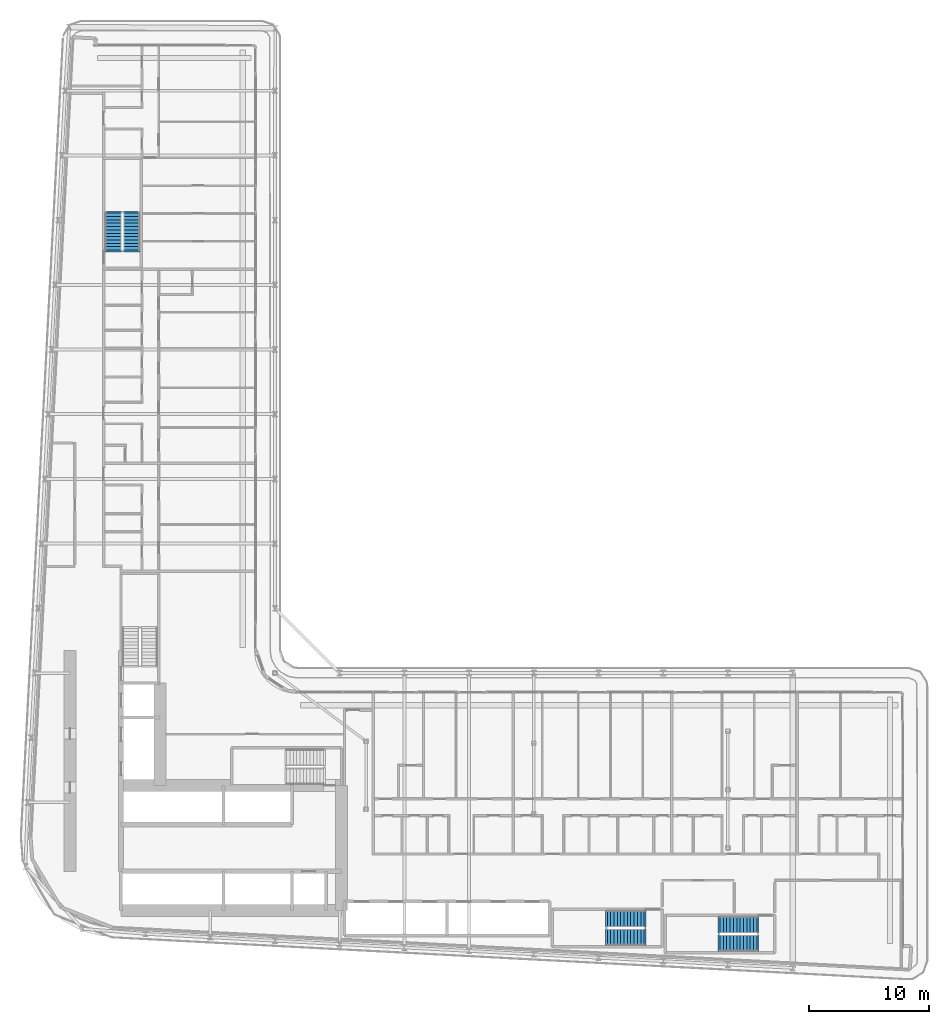
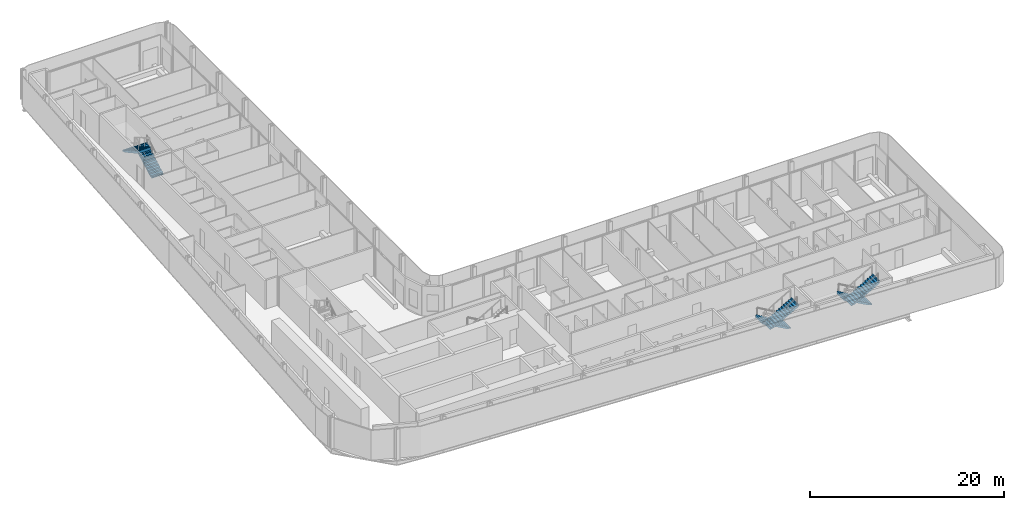
# One storey, part 21 of 28: 6 stair flights, 3 elements without a shape of their own.
"""IFC4 building model written with IfcOpenShell, lengths in metres."""

from ifc_helpers import new_model, si_unit, direction, frame, origin, place, context, subcontext, project, spatial, polyline, outline, extrude, material, layer, layer_set, type_object, element, aggregate, save


model = new_model("IFC4")

# Units and contexts
model_context = context("Model", 3, precision=1e-05, world=origin(), true_north=direction((0.0, 1.0)))
body_context = subcontext(model_context, "Body", "Model", "MODEL_VIEW")
ifc_project = project(units=[si_unit("LENGTHUNIT", "METRE"), si_unit("AREAUNIT", "SQUARE_METRE"), si_unit("VOLUMEUNIT", "CUBIC_METRE"), si_unit("PLANEANGLEUNIT", "RADIAN"), si_unit("MASSUNIT", "GRAM", prefix="KILO")], contexts=[model_context])

# Site, building, storey
site_placement = place(None, origin())
site = spatial("IfcSite", under=ifc_project, at=site_placement, CompositionType="ELEMENT")
building_placement = place(site_placement, origin())
building = spatial("IfcBuilding", under=site, at=building_placement, Name="Kheshtan School and Residences Tower", CompositionType="ELEMENT")
storey_placement = place(building_placement, frame((0.0, 0.0, 77.300048828125)))
storey = spatial("IfcBuildingStorey", under=building, at=storey_placement, Name="L18", CompositionType="ELEMENT", Elevation=77.300048828125)

# Stair, stair flights
ifc_material = material(Name="Concrete C40/50", Category="concrete")
stair_type = type_object("IfcStairType", Name="Exit stair, half-turn", PredefinedType="HALF_TURN_STAIR", material=ifc_material)
stair_1_placement = place(storey_placement, origin())
stair_1 = element("IfcStair", 1, at=stair_1_placement, inside=storey, type_object=stair_type, Name="L18 Protected Exit Stair ST3", PredefinedType="HALF_TURN_STAIR")
ifc_layer = layer(ifc_material, 0.14990234375)
ifc_layer_set = layer_set([ifc_layer], Name="Stair flight 1400 Concrete C40/50")
stair_flight_type = type_object("IfcStairFlightType", Name="Stair flight 1400 Concrete C40/50", PredefinedType="STRAIGHT", material=ifc_layer_set)
stair_flight_1_placement = place(storey_placement, frame((35.64990234375, 80.89990234375, 0.0), z_axis=(0.0, 0.0, 1.0), x_axis=(0.0, 1.0, 0.0)))
stair_flight_1 = element("IfcStairFlight", 2, at=stair_flight_1_placement, type_object=stair_flight_type, Name="ST3 flight 1", NumberOfRisers=12, NumberOfTreads=11, PredefinedType="STRAIGHT", RiserHeight=0.1625, TreadLength=0.28, context=body_context, shape_type="SweptSolid", body=[
    extrude(outline(polyline([(-0.14990234375, -0.10009765625), (-0.14990234375, 0.0), (0.0, 0.0), (0.0, 0.16259765625), (0.280029296875, 0.16259765625), (0.280029296875, 0.324951171875), (0.56005859375, 0.324951171875), (0.56005859375, 0.487548828125), (0.840087890625, 0.487548828125), (0.840087890625, 0.64990234375), (1.1201171875, 0.64990234375), (1.1201171875, 0.8125), (1.39990234375, 0.8125), (1.39990234375, 0.97509765625), (1.679931640625, 0.97509765625), (1.679931640625, 1.137451171875), (1.9599609375, 1.137451171875), (1.9599609375, 1.300048828125), (2.239990234375, 1.300048828125), (2.239990234375, 1.46240234375), (2.52001953125, 1.46240234375), (2.52001953125, 1.625), (2.800048828125, 1.625), (2.800048828125, 1.78759765625), (3.080078125, 1.78759765625), (3.080078125, 1.949951171875), (3.080078125, 1.969970703125), (3.22998046875, 1.969970703125), (3.22998046875, 1.6142578125), (0.298583984375, 0.0), (-0.14990234375, -0.10009765625)])), frame((0.0, 0.699951171875, 0.0), z_axis=(0.0, -1.0, 0.0), x_axis=(1.0, 0.0, 0.0)), (0.0, 0.0, 1.0), 1.39990234375),
])
stair_flight_2_placement = place(storey_placement, frame((34.10009765625, 83.97998046875, 1.949951171875), z_axis=(0.0, 0.0, 1.0), x_axis=(0.0, -1.0, 0.0)))
stair_flight_2 = element("IfcStairFlight", 3, at=stair_flight_2_placement, type_object=stair_flight_type, Name="ST3 flight 2", NumberOfRisers=12, NumberOfTreads=11, PredefinedType="STRAIGHT", RiserHeight=0.1625, TreadLength=0.28, context=body_context, shape_type="SweptSolid", body=[
    extrude(outline(polyline([(-0.14990234375, -0.10009765625), (-0.14990234375, 0.0), (0.0, 0.0), (0.0, 0.16259765625), (0.280029296875, 0.16259765625), (0.280029296875, 0.324951171875), (0.56005859375, 0.324951171875), (0.56005859375, 0.487548828125), (0.840087890625, 0.487548828125), (0.840087890625, 0.64990234375), (1.1201171875, 0.64990234375), (1.1201171875, 0.8125), (1.39990234375, 0.8125), (1.39990234375, 0.97509765625), (1.679931640625, 0.97509765625), (1.679931640625, 1.137451171875), (1.9599609375, 1.137451171875), (1.9599609375, 1.300048828125), (2.239990234375, 1.300048828125), (2.239990234375, 1.46240234375), (2.52001953125, 1.46240234375), (2.52001953125, 1.625), (2.800048828125, 1.625), (2.800048828125, 1.78759765625), (3.080078125, 1.78759765625), (3.080078125, 1.949951171875), (3.080078125, 1.969970703125), (3.22998046875, 1.969970703125), (3.22998046875, 1.6142578125), (0.298583984375, 0.0), (-0.14990234375, -0.10009765625)])), frame((0.0, 0.699951171875, 0.0), z_axis=(0.0, -1.0, 0.0), x_axis=(1.0, 0.0, 0.0)), (0.0, 0.0, 1.0), 1.39990234375),
])
aggregate(stair_1, [stair_flight_1, stair_flight_2])

stair_2_placement = place(storey_placement, origin())
stair_2 = element("IfcStair", 4, at=stair_2_placement, inside=storey, type_object=stair_type, Name="L18 Protected Exit Stair ST4", PredefinedType="HALF_TURN_STAIR")
stair_flight_3_placement = place(storey_placement, frame((87.820068359375, 24.60009765625, 0.0), z_axis=(0.0, 0.0, 1.0), x_axis=(-1.0, 0.0, 0.0)))
stair_flight_3 = element("IfcStairFlight", 5, at=stair_flight_3_placement, type_object=stair_flight_type, Name="ST4 flight 1", NumberOfRisers=12, NumberOfTreads=11, PredefinedType="STRAIGHT", RiserHeight=0.1625, TreadLength=0.28, context=body_context, shape_type="SweptSolid", body=[
    extrude(outline(polyline([(-0.14990234375, -0.10009765625), (-0.14990234375, 0.0), (0.0, 0.0), (0.0, 0.16259765625), (0.280029296875, 0.16259765625), (0.280029296875, 0.324951171875), (0.56005859375, 0.324951171875), (0.56005859375, 0.487548828125), (0.840087890625, 0.487548828125), (0.840087890625, 0.64990234375), (1.1201171875, 0.64990234375), (1.1201171875, 0.8125), (1.39990234375, 0.8125), (1.39990234375, 0.97509765625), (1.679931640625, 0.97509765625), (1.679931640625, 1.137451171875), (1.9599609375, 1.137451171875), (1.9599609375, 1.300048828125), (2.239990234375, 1.300048828125), (2.239990234375, 1.46240234375), (2.52001953125, 1.46240234375), (2.52001953125, 1.625), (2.800048828125, 1.625), (2.800048828125, 1.78759765625), (3.080078125, 1.78759765625), (3.080078125, 1.949951171875), (3.080078125, 1.969970703125), (3.22998046875, 1.969970703125), (3.22998046875, 1.6142578125), (0.298583984375, 0.0), (-0.14990234375, -0.10009765625)])), frame((0.0, 0.699951171875, 0.0), z_axis=(0.0, -1.0, 0.0), x_axis=(1.0, 0.0, 0.0)), (0.0, 0.0, 1.0), 1.39990234375),
])
stair_flight_4_placement = place(storey_placement, frame((84.739990234375, 23.050048828125, 1.949951171875), z_axis=(0.0, 0.0, 1.0), x_axis=(1.0, 0.0, 0.0)))
stair_flight_4 = element("IfcStairFlight", 6, at=stair_flight_4_placement, type_object=stair_flight_type, Name="ST4 flight 2", NumberOfRisers=12, NumberOfTreads=11, PredefinedType="STRAIGHT", RiserHeight=0.1625, TreadLength=0.28, context=body_context, shape_type="SweptSolid", body=[
    extrude(outline(polyline([(-0.14990234375, -0.10009765625), (-0.14990234375, 0.0), (0.0, 0.0), (0.0, 0.16259765625), (0.280029296875, 0.16259765625), (0.280029296875, 0.324951171875), (0.56005859375, 0.324951171875), (0.56005859375, 0.487548828125), (0.840087890625, 0.487548828125), (0.840087890625, 0.64990234375), (1.1201171875, 0.64990234375), (1.1201171875, 0.8125), (1.39990234375, 0.8125), (1.39990234375, 0.97509765625), (1.679931640625, 0.97509765625), (1.679931640625, 1.137451171875), (1.9599609375, 1.137451171875), (1.9599609375, 1.300048828125), (2.239990234375, 1.300048828125), (2.239990234375, 1.46240234375), (2.52001953125, 1.46240234375), (2.52001953125, 1.625), (2.800048828125, 1.625), (2.800048828125, 1.78759765625), (3.080078125, 1.78759765625), (3.080078125, 1.949951171875), (3.080078125, 1.969970703125), (3.22998046875, 1.969970703125), (3.22998046875, 1.6142578125), (0.298583984375, 0.0), (-0.14990234375, -0.10009765625)])), frame((0.0, 0.699951171875, 0.0), z_axis=(0.0, -1.0, 0.0), x_axis=(1.0, 0.0, 0.0)), (0.0, 0.0, 1.0), 1.39990234375),
])
aggregate(stair_2, [stair_flight_3, stair_flight_4])

stair_3_placement = place(storey_placement, origin())
stair_3 = element("IfcStair", 7, at=stair_3_placement, inside=storey, type_object=stair_type, Name="L18 Protected Exit Stair ST5", PredefinedType="HALF_TURN_STAIR")
stair_flight_5_placement = place(storey_placement, frame((78.409912109375, 25.10009765625, 0.0), z_axis=(0.0, 0.0, 1.0), x_axis=(-1.0, 0.0, 0.0)))
stair_flight_5 = element("IfcStairFlight", 8, at=stair_flight_5_placement, type_object=stair_flight_type, Name="ST5 flight 1", NumberOfRisers=12, NumberOfTreads=11, PredefinedType="STRAIGHT", RiserHeight=0.1625, TreadLength=0.28, context=body_context, shape_type="SweptSolid", body=[
    extrude(outline(polyline([(-0.14990234375, -0.10009765625), (-0.14990234375, 0.0), (0.0, 0.0), (0.0, 0.16259765625), (0.280029296875, 0.16259765625), (0.280029296875, 0.324951171875), (0.56005859375, 0.324951171875), (0.56005859375, 0.487548828125), (0.840087890625, 0.487548828125), (0.840087890625, 0.64990234375), (1.1201171875, 0.64990234375), (1.1201171875, 0.8125), (1.39990234375, 0.8125), (1.39990234375, 0.97509765625), (1.679931640625, 0.97509765625), (1.679931640625, 1.137451171875), (1.9599609375, 1.137451171875), (1.9599609375, 1.300048828125), (2.239990234375, 1.300048828125), (2.239990234375, 1.46240234375), (2.52001953125, 1.46240234375), (2.52001953125, 1.625), (2.800048828125, 1.625), (2.800048828125, 1.78759765625), (3.080078125, 1.78759765625), (3.080078125, 1.949951171875), (3.080078125, 1.969970703125), (3.22998046875, 1.969970703125), (3.22998046875, 1.6142578125), (0.298583984375, 0.0), (-0.14990234375, -0.10009765625)])), frame((0.0, 0.699951171875, 0.0), z_axis=(0.0, -1.0, 0.0), x_axis=(1.0, 0.0, 0.0)), (0.0, 0.0, 1.0), 1.39990234375),
])
stair_flight_6_placement = place(storey_placement, frame((75.330078125, 23.550048828125, 1.949951171875), z_axis=(0.0, 0.0, 1.0), x_axis=(1.0, 0.0, 0.0)))
stair_flight_6 = element("IfcStairFlight", 9, at=stair_flight_6_placement, type_object=stair_flight_type, Name="ST5 flight 2", NumberOfRisers=12, NumberOfTreads=11, PredefinedType="STRAIGHT", RiserHeight=0.1625, TreadLength=0.28, context=body_context, shape_type="SweptSolid", body=[
    extrude(outline(polyline([(-0.14990234375, -0.10009765625), (-0.14990234375, 0.0), (0.0, 0.0), (0.0, 0.16259765625), (0.280029296875, 0.16259765625), (0.280029296875, 0.324951171875), (0.56005859375, 0.324951171875), (0.56005859375, 0.487548828125), (0.840087890625, 0.487548828125), (0.840087890625, 0.64990234375), (1.1201171875, 0.64990234375), (1.1201171875, 0.8125), (1.39990234375, 0.8125), (1.39990234375, 0.97509765625), (1.679931640625, 0.97509765625), (1.679931640625, 1.137451171875), (1.9599609375, 1.137451171875), (1.9599609375, 1.300048828125), (2.239990234375, 1.300048828125), (2.239990234375, 1.46240234375), (2.52001953125, 1.46240234375), (2.52001953125, 1.625), (2.800048828125, 1.625), (2.800048828125, 1.78759765625), (3.080078125, 1.78759765625), (3.080078125, 1.949951171875), (3.080078125, 1.969970703125), (3.22998046875, 1.969970703125), (3.22998046875, 1.6142578125), (0.298583984375, 0.0), (-0.14990234375, -0.10009765625)])), frame((0.0, 0.699951171875, 0.0), z_axis=(0.0, -1.0, 0.0), x_axis=(1.0, 0.0, 0.0)), (0.0, 0.0, 1.0), 1.39990234375),
])
aggregate(stair_3, [stair_flight_5, stair_flight_6])

save(model, "model.ifc")
